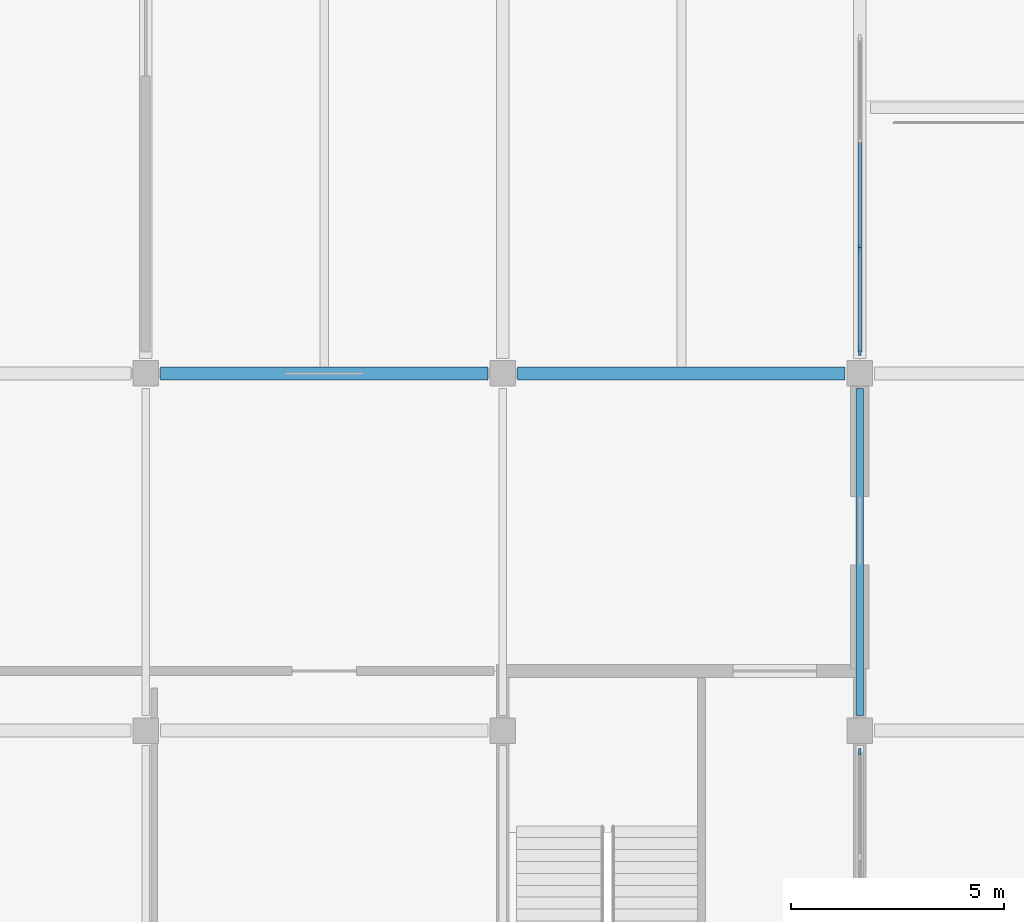
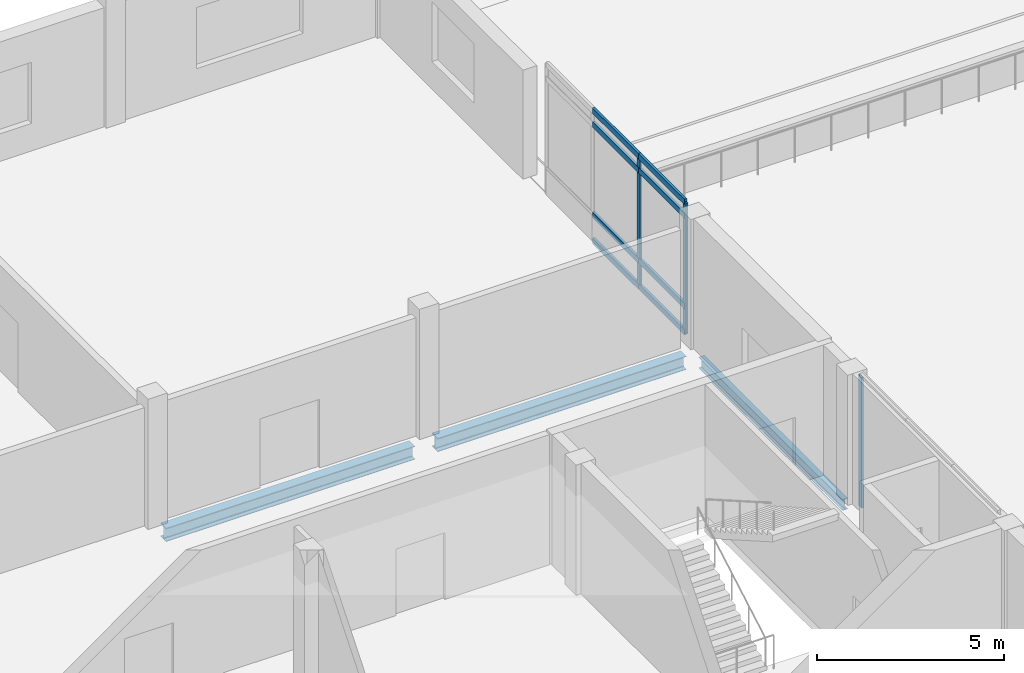
# One storey, part 21 of 81: 11 members, 3 beams, 2 elements without a shape of their own.
"""IFC4 building model written with IfcOpenShell, lengths in metres."""

from ifc_helpers import new_model, si_unit, direction, frame, origin, origin_2d, place, context, subcontext, project, spatial, rectangle, i_section, extrude, material, layer, layer_set, material_profile, profile_set, type_object, element, aggregate, save


model = new_model("IFC4")

# Units and contexts
model_context = context("Model", 3, precision=1e-05, world=origin(), true_north=direction((0.0, 1.0)))
body_context = subcontext(model_context, "Body", "Model", "MODEL_VIEW")
ifc_project = project(units=[si_unit("LENGTHUNIT", "METRE"), si_unit("AREAUNIT", "SQUARE_METRE"), si_unit("VOLUMEUNIT", "CUBIC_METRE"), si_unit("PLANEANGLEUNIT", "RADIAN"), si_unit("MASSUNIT", "GRAM", prefix="KILO")], contexts=[model_context])

# Site, building, storey
site_placement = place(None, origin())
site = spatial("IfcSite", under=ifc_project, at=site_placement, CompositionType="ELEMENT")
building_placement = place(site_placement, origin())
building = spatial("IfcBuilding", under=site, at=building_placement, Name="Qawsi Khor Wholesale Market", CompositionType="ELEMENT")
storey_placement = place(building_placement, frame((0.0, 0.0, 16.199951171875)))
storey = spatial("IfcBuildingStorey", under=building, at=storey_placement, Name="L03", CompositionType="ELEMENT", Elevation=16.199951171875)

# Curtain wall, member
ifc_material_1 = material(Name="Aluminium Anodised Bronze", Category="aluminium")
ifc_layer = layer(ifc_material_1, 0.169921875, Name="Aluminium Anodised Bronze")
ifc_layer_set = layer_set([ifc_layer], Name="Aluminium Anodised Bronze")
curtain_wall_type = type_object("IfcCurtainWallType", Name="Central Court Gallery Curtain Wall CW-05", PredefinedType="NOTDEFINED", material=ifc_layer_set)
curtain_wall_1_placement = place(storey_placement, origin())
curtain_wall_1 = element("IfcCurtainWall", 1, at=curtain_wall_1_placement, inside=storey, type_object=curtain_wall_type, Name="Curtain wall CW-CW-05-L03-070", PredefinedType="NOTDEFINED")
ifc_material_profile_1 = material_profile(ifc_material_1, rectangle(XDim=0.06005859375, YDim=0.159912109375, at=origin_2d()), Name="ALU MULLION 60x160")
ifc_profile_set_1 = profile_set([ifc_material_profile_1], Name="Aluminium Anodised Bronze")
member_type_1 = type_object("IfcMemberType", Name="Curtain Wall Mullion CW-05 ALU MULLION 60x160", PredefinedType="MULLION", material=ifc_profile_set_1)
member_1_placement = place(storey_placement, frame((126.0, 16.300048828125, -0.02001953125), z_axis=(0.0, 0.0, 1.0), x_axis=(1.0, 0.0, 0.0)))
member_1 = element("IfcMember", 2, at=member_1_placement, type_object=member_type_1, Name="Mullion CW-CW-05-L03-070-M03", PredefinedType="MULLION", context=body_context, shape_type="SweptSolid", body=[
    extrude(rectangle(XDim=0.06005859375, YDim=0.159912109375, at=origin_2d()), origin(), (0.0, 0.0, 1.0), 4.280029296875),
])
aggregate(curtain_wall_1, [member_1])

# Curtain wall, members
curtain_wall_2_placement = place(storey_placement, origin())
curtain_wall_2 = element("IfcCurtainWall", 3, at=curtain_wall_2_placement, inside=storey, type_object=curtain_wall_type, Name="Curtain wall CW-CW-05-L03-071", PredefinedType="NOTDEFINED")
member_2_placement = place(storey_placement, frame((126.0, 25.699951171875, -0.02001953125), z_axis=(0.0, 0.0, 1.0), x_axis=(1.0, 0.0, 0.0)))
member_2 = element("IfcMember", 4, at=member_2_placement, type_object=member_type_1, Name="Mullion CW-CW-05-L03-071-M00", PredefinedType="MULLION", context=body_context, shape_type="SweptSolid", body=[
    extrude(rectangle(XDim=0.06005859375, YDim=0.159912109375, at=origin_2d()), origin(), (0.0, 0.0, 1.0), 4.280029296875),
])
member_3_placement = place(storey_placement, frame((126.0, 28.166748046875, -0.02001953125), z_axis=(0.0, 0.0, 1.0), x_axis=(1.0, 0.0, 0.0)))
member_3 = element("IfcMember", 5, at=member_3_placement, type_object=member_type_1, Name="Mullion CW-CW-05-L03-071-M01", PredefinedType="MULLION", context=body_context, shape_type="SweptSolid", body=[
    extrude(rectangle(XDim=0.06005859375, YDim=0.159912109375, at=origin_2d()), origin(), (0.0, 0.0, 1.0), 4.280029296875),
])
ifc_material_profile_2 = material_profile(ifc_material_1, rectangle(XDim=0.080078125, YDim=0.179931640625, at=origin_2d()), Name="ALU TRANSOM 80x180")
ifc_profile_set_2 = profile_set([ifc_material_profile_2], Name="Aluminium Anodised Bronze")
member_type_2 = type_object("IfcMemberType", Name="Curtain Wall Transom CW-05 ALU TRANSOM 80x180", PredefinedType="USERDEFINED", material=ifc_profile_set_2)
member_4_placement = place(storey_placement, frame((126.0, 25.699951171875, 0.0), z_axis=(0.0, 1.0, 0.0), x_axis=(-1.0, 0.0, 0.0)))
member_4 = element("IfcMember", 6, at=member_4_placement, type_object=member_type_2, Name="Transom CW-CW-05-L03-071-T0_00", ObjectType="TRANSOM", PredefinedType="USERDEFINED", context=body_context, shape_type="SweptSolid", body=[
    extrude(rectangle(XDim=0.080078125, YDim=0.179931640625, at=origin_2d()), origin(), (0.0, 0.0, 1.0), 2.466796875),
])
member_5_placement = place(storey_placement, frame((126.0, 28.166748046875, 0.0), z_axis=(0.0, 1.0, 0.0), x_axis=(-1.0, 0.0, 0.0)))
member_5 = element("IfcMember", 7, at=member_5_placement, type_object=member_type_2, Name="Transom CW-CW-05-L03-071-T0_01", ObjectType="TRANSOM", PredefinedType="USERDEFINED", context=body_context, shape_type="SweptSolid", body=[
    extrude(rectangle(XDim=0.080078125, YDim=0.179931640625, at=origin_2d()), origin(), (0.0, 0.0, 1.0), 2.466552734375),
])
member_6_placement = place(storey_placement, frame((126.0, 25.699951171875, 0.85009765625), z_axis=(0.0, 1.0, 0.0), x_axis=(-1.0, 0.0, 0.0)))
member_6 = element("IfcMember", 8, at=member_6_placement, type_object=member_type_2, Name="Transom CW-CW-05-L03-071-T1_00", ObjectType="TRANSOM", PredefinedType="USERDEFINED", context=body_context, shape_type="SweptSolid", body=[
    extrude(rectangle(XDim=0.080078125, YDim=0.179931640625, at=origin_2d()), origin(), (0.0, 0.0, 1.0), 2.466796875),
])
member_7_placement = place(storey_placement, frame((126.0, 28.166748046875, 0.85009765625), z_axis=(0.0, 1.0, 0.0), x_axis=(-1.0, 0.0, 0.0)))
member_7 = element("IfcMember", 9, at=member_7_placement, type_object=member_type_2, Name="Transom CW-CW-05-L03-071-T1_01", ObjectType="TRANSOM", PredefinedType="USERDEFINED", context=body_context, shape_type="SweptSolid", body=[
    extrude(rectangle(XDim=0.080078125, YDim=0.179931640625, at=origin_2d()), origin(), (0.0, 0.0, 1.0), 2.466552734375),
])
member_8_placement = place(storey_placement, frame((126.0, 25.699951171875, 3.81005859375), z_axis=(0.0, 1.0, 0.0), x_axis=(-1.0, 0.0, 0.0)))
member_8 = element("IfcMember", 10, at=member_8_placement, type_object=member_type_2, Name="Transom CW-CW-05-L03-071-T2_00", ObjectType="TRANSOM", PredefinedType="USERDEFINED", context=body_context, shape_type="SweptSolid", body=[
    extrude(rectangle(XDim=0.080078125, YDim=0.179931640625, at=origin_2d()), origin(), (0.0, 0.0, 1.0), 2.466796875),
])
member_9_placement = place(storey_placement, frame((126.0, 28.166748046875, 3.81005859375), z_axis=(0.0, 1.0, 0.0), x_axis=(-1.0, 0.0, 0.0)))
member_9 = element("IfcMember", 11, at=member_9_placement, type_object=member_type_2, Name="Transom CW-CW-05-L03-071-T2_01", ObjectType="TRANSOM", PredefinedType="USERDEFINED", context=body_context, shape_type="SweptSolid", body=[
    extrude(rectangle(XDim=0.080078125, YDim=0.179931640625, at=origin_2d()), origin(), (0.0, 0.0, 1.0), 2.466552734375),
])
member_10_placement = place(storey_placement, frame((126.0, 25.699951171875, 4.260009765625), z_axis=(0.0, 1.0, 0.0), x_axis=(-1.0, 0.0, 0.0)))
member_10 = element("IfcMember", 12, at=member_10_placement, type_object=member_type_2, Name="Transom CW-CW-05-L03-071-T3_00", ObjectType="TRANSOM", PredefinedType="USERDEFINED", context=body_context, shape_type="SweptSolid", body=[
    extrude(rectangle(XDim=0.080078125, YDim=0.179931640625, at=origin_2d()), origin(), (0.0, 0.0, 1.0), 2.466796875),
])
member_11_placement = place(storey_placement, frame((126.0, 28.166748046875, 4.260009765625), z_axis=(0.0, 1.0, 0.0), x_axis=(-1.0, 0.0, 0.0)))
member_11 = element("IfcMember", 13, at=member_11_placement, type_object=member_type_2, Name="Transom CW-CW-05-L03-071-T3_01", ObjectType="TRANSOM", PredefinedType="USERDEFINED", context=body_context, shape_type="SweptSolid", body=[
    extrude(rectangle(XDim=0.080078125, YDim=0.179931640625, at=origin_2d()), origin(), (0.0, 0.0, 1.0), 2.466552734375),
])
aggregate(curtain_wall_2, [member_2, member_3, member_4, member_5, member_6, member_7, member_8, member_9, member_10, member_11])

# Beams
ifc_material_2 = material(Name="Steel S355", Category="steel")
ifc_material_profile_3 = material_profile(ifc_material_2, i_section(OverallWidth=0.300048828125, OverallDepth=0.43994140625, WebThickness=0.011474609375, FlangeThickness=0.02099609375, FilletRadius=0.027099609375, at=origin_2d()), Name="HEA 450")
ifc_profile_set_3 = profile_set([ifc_material_profile_3], Name="Steel S355")
beam_type_1 = type_object("IfcBeamType", Name="Primary Girder HEA 450", PredefinedType="BEAM", material=ifc_profile_set_3)
for number, where, z_axis, x_axis, name in (
    (14, (109.550048828125, 25.199951171875, -0.5), (1.0, 0.0, 0.0), (0.0, 1.0, 0.0), "BM-X-L03-13_+03"),
    (15, (117.949951171875, 25.199951171875, -0.5), (1.0, 0.0, 0.0), (0.0, 1.0, 0.0), "BM-X-L03-14_+03"),
):
    element("IfcBeam", number, at=place(storey_placement, frame(where, z_axis=z_axis, x_axis=x_axis)), inside=storey, type_object=beam_type_1, Name=name, PredefinedType="BEAM", context=body_context, shape_type="SweptSolid", body=[
        extrude(i_section(OverallWidth=0.300048828125, OverallDepth=0.43994140625, WebThickness=0.011474609375, FlangeThickness=0.02099609375, FilletRadius=0.027099609375, at=origin_2d()), origin(), (0.0, 0.0, 1.0), 7.699951171875),
    ])
ifc_material_profile_4 = material_profile(ifc_material_2, i_section(OverallWidth=0.169921875, OverallDepth=0.360107421875, WebThickness=0.008056640625, FlangeThickness=0.0126953125, FilletRadius=0.01806640625, at=origin_2d()), Name="IPE 360")
ifc_profile_set_4 = profile_set([ifc_material_profile_4], Name="Steel S355")
beam_type_2 = type_object("IfcBeamType", Name="Secondary Beam IPE 360", PredefinedType="BEAM", material=ifc_profile_set_4)
beam_placement = place(storey_placement, frame((126.0, 17.14990234375, -0.4599609375), z_axis=(0.0, 1.0, 0.0), x_axis=(-1.0, 0.0, 0.0)))
element("IfcBeam", 16, at=beam_placement, inside=storey, type_object=beam_type_2, Name="BM-Y-L03-15_+02", PredefinedType="BEAM", context=body_context, shape_type="SweptSolid", body=[
    extrude(i_section(OverallWidth=0.169921875, OverallDepth=0.360107421875, WebThickness=0.008056640625, FlangeThickness=0.0126953125, FilletRadius=0.01806640625, at=origin_2d()), origin(), (0.0, 0.0, 1.0), 7.7001953125),
])

save(model, "model.ifc")
